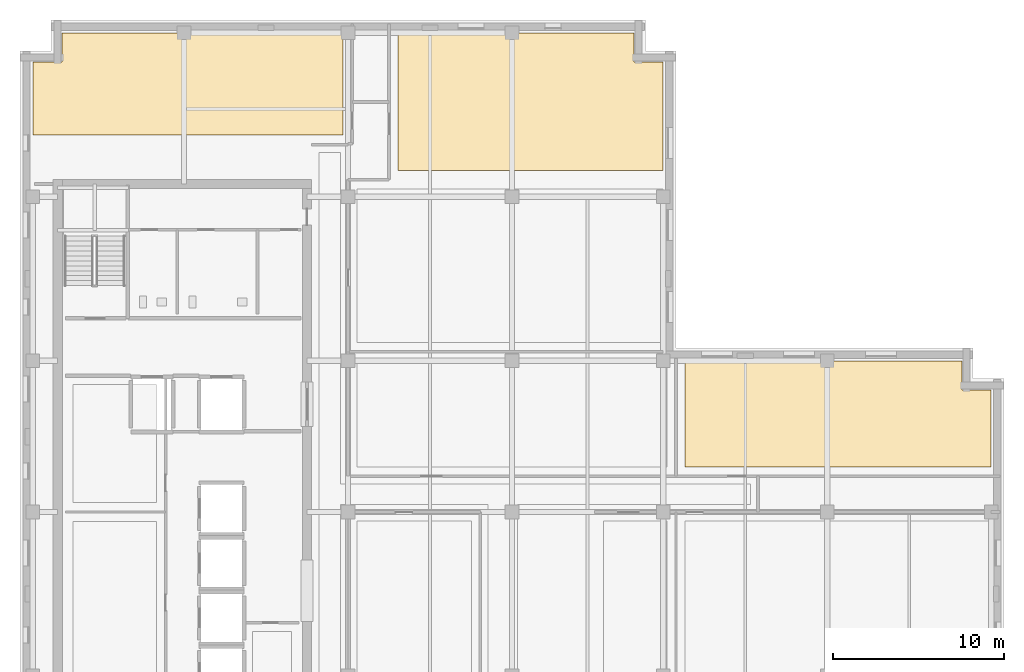
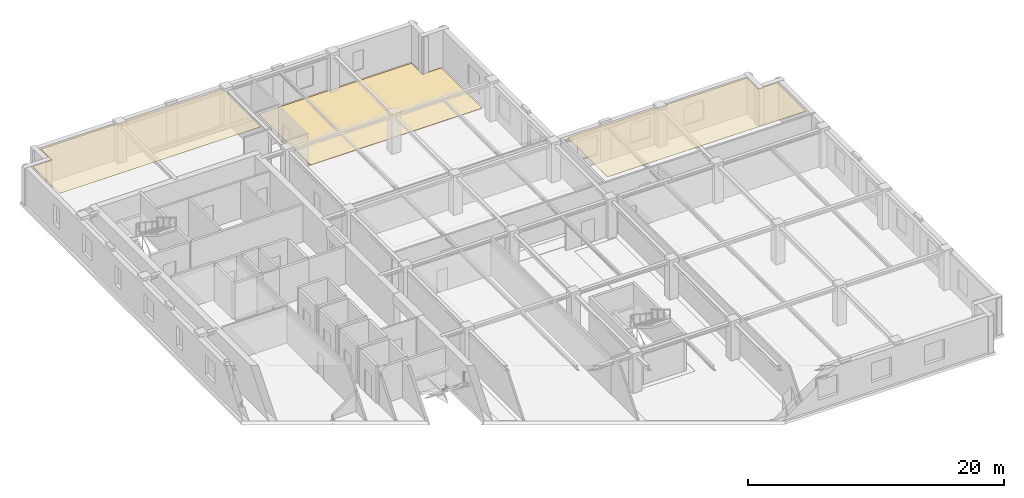
# One storey, part 11 of 12: 3 coverings.
"""IFC4 building model written with IfcOpenShell, lengths in metres."""

from ifc_helpers import new_model, si_unit, direction, frame, origin, place, context, subcontext, project, spatial, polyline, outline, extrude, material, layer, layer_set, type_object, element, save


model = new_model("IFC4")

# Units and contexts
model_context = context("Model", 3, precision=1e-05, world=origin(), true_north=direction((0.0, 1.0)))
body_context = subcontext(model_context, "Body", "Model", "MODEL_VIEW")
ifc_project = project(units=[si_unit("LENGTHUNIT", "METRE"), si_unit("AREAUNIT", "SQUARE_METRE"), si_unit("VOLUMEUNIT", "CUBIC_METRE"), si_unit("PLANEANGLEUNIT", "RADIAN"), si_unit("MASSUNIT", "GRAM", prefix="KILO")], contexts=[model_context])

# Site, building, storey
site_placement = place(None, origin())
site = spatial("IfcSite", under=ifc_project, at=site_placement, CompositionType="ELEMENT")
building_placement = place(site_placement, origin())
building = spatial("IfcBuilding", under=site, at=building_placement, Name="Norrvale University Quadrangle", CompositionType="ELEMENT")
storey_placement = place(building_placement, frame((0.0, 0.0, 240.800048828125)))
storey = spatial("IfcBuildingStorey", under=building, at=storey_placement, Name="L61", CompositionType="ELEMENT", Elevation=240.800048828125)

# Coverings
ifc_material_1 = material(Name="Perforated Acoustic Mineral Ceiling")
ifc_layer_1 = layer(ifc_material_1, 0.02490234375, Name="Perforated Acoustic Mineral Ceiling")
ifc_layer_set_1 = layer_set([ifc_layer_1], Name="Perforated Acoustic Mineral Ceiling")
covering_type_1 = type_object("IfcCoveringType", Name="Covering Acoustic Ceiling 25", PredefinedType="CEILING", material=ifc_layer_set_1)
covering_1_placement = place(storey_placement, frame((0.0, 0.0, 3.514892578125)))
element("IfcCovering", 1, at=covering_1_placement, inside=storey, type_object=covering_type_1, Name="Acoustic Ceiling RM-L61-ME02", PredefinedType="CEILING", context=body_context, shape_type="SweptSolid", body=[
    extrude(outline(polyline([(56.85009765625, 31.429931640625), (38.929931640625, 31.429931640625), (38.929931640625, 37.64990234375), (55.1298828125, 37.64990234375), (55.1298828125, 35.929931640625), (56.85009765625, 35.929931640625), (56.85009765625, 31.429931640625)])), origin(), (0.0, 0.0, 1.0), 0.025146484375),
])
covering_2_placement = place(storey_placement, frame((0.0, 0.0, 3.514892578125)))
element("IfcCovering", 2, at=covering_2_placement, inside=storey, type_object=covering_type_1, Name="Acoustic Ceiling RM-L61-NW01", PredefinedType="CEILING", context=body_context, shape_type="SweptSolid", body=[
    extrude(outline(polyline([(18.919921875, 56.85009765625), (18.919921875, 50.8798828125), (0.75, 50.8798828125), (0.75, 55.1298828125), (2.469970703125, 55.1298828125), (2.469970703125, 56.85009765625), (18.919921875, 56.85009765625)])), origin(), (0.0, 0.0, 1.0), 0.025146484375),
])
ifc_material_2 = material(Name="Polished Terrazzo Flooring")
ifc_layer_2 = layer(ifc_material_2, 0.02490234375, Name="Polished Terrazzo Flooring")
ifc_layer_set_2 = layer_set([ifc_layer_2], Name="Polished Terrazzo Flooring")
covering_type_2 = type_object("IfcCoveringType", Name="Covering Terrazzo Floor 30", PredefinedType="FLOORING", material=ifc_layer_set_2)
covering_3_placement = place(storey_placement, origin())
element("IfcCovering", 3, at=covering_3_placement, inside=storey, type_object=covering_type_2, Name="Terrazzo Flooring RM-L61-NE01", PredefinedType="FLOORING", context=body_context, shape_type="SweptSolid", body=[
    extrude(outline(polyline([(37.64990234375, 48.780029296875), (22.1298828125, 48.780029296875), (22.1298828125, 56.85009765625), (35.929931640625, 56.85009765625), (35.929931640625, 55.1298828125), (37.64990234375, 55.1298828125), (37.64990234375, 48.780029296875)])), origin(), (0.0, 0.0, 1.0), 0.02490234375),
])

save(model, "model.ifc")
